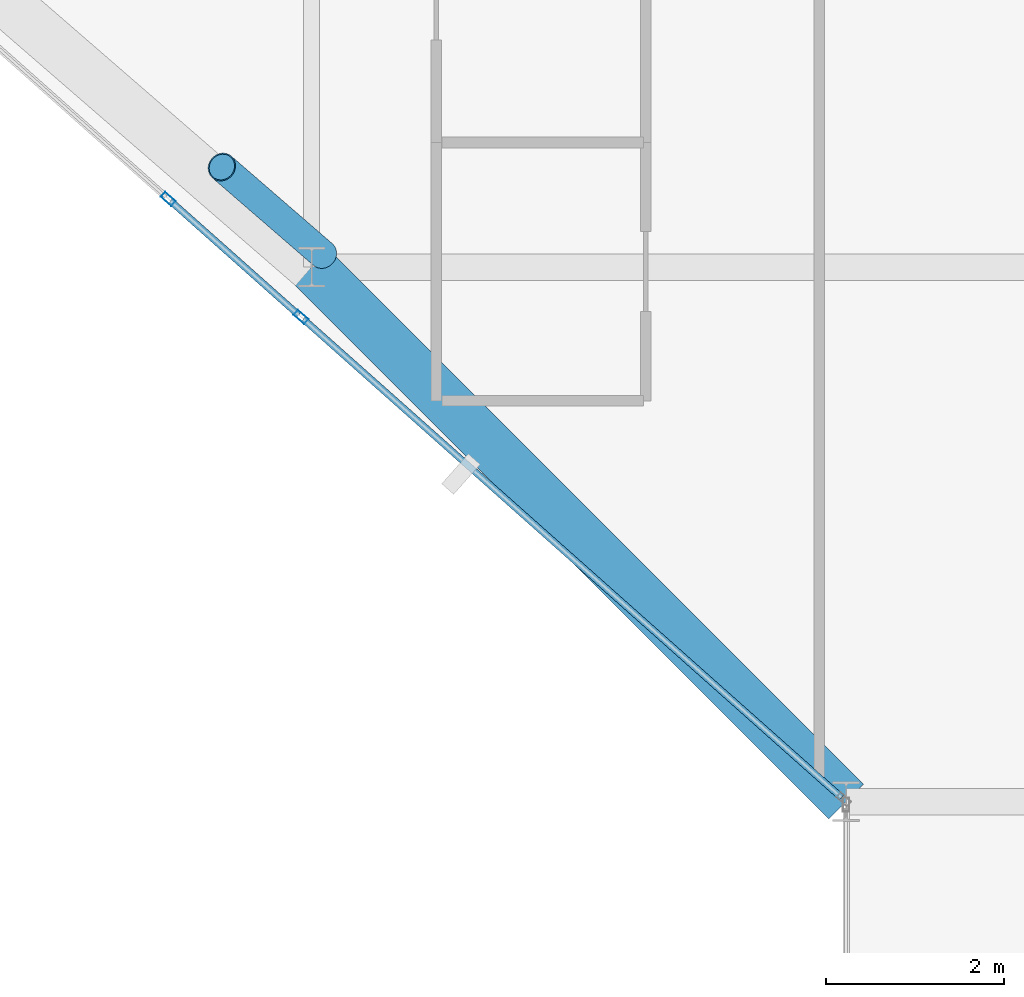
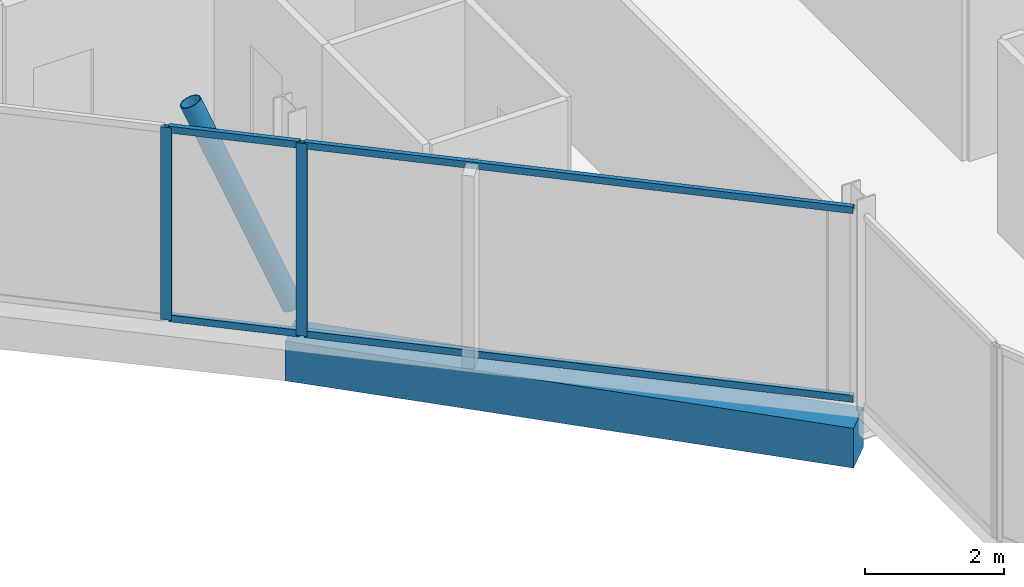
# One storey, part 4 of 29: 7 members, 1 beam, 2 elements without a shape of their own.
"""IFC4 building model written with IfcOpenShell, lengths in metres."""

from ifc_helpers import new_model, si_unit, direction, frame, origin, origin_2d, place, context, subcontext, project, spatial, rectangle, hollow_rectangle, hollow_circle, extrude, material, layer, layer_set, material_profile, profile_set, type_object, element, aggregate, save


model = new_model("IFC4")

# Units and contexts
model_context = context("Model", 3, precision=1e-05, world=origin(), true_north=direction((0.0, 1.0)))
body_context = subcontext(model_context, "Body", "Model", "MODEL_VIEW")
ifc_project = project(units=[si_unit("LENGTHUNIT", "METRE"), si_unit("AREAUNIT", "SQUARE_METRE"), si_unit("VOLUMEUNIT", "CUBIC_METRE"), si_unit("PLANEANGLEUNIT", "RADIAN"), si_unit("MASSUNIT", "GRAM", prefix="KILO")], contexts=[model_context])

# Site, building, storey
site_placement = place(None, origin())
site = spatial("IfcSite", under=ifc_project, at=site_placement, CompositionType="ELEMENT")
building_placement = place(site_placement, origin())
building = spatial("IfcBuilding", under=site, at=building_placement, Name="Keshet Zoharim Tower", CompositionType="ELEMENT")
storey_placement = place(building_placement, frame((0.0, 0.0, 172.800048828125)))
storey = spatial("IfcBuildingStorey", under=building, at=storey_placement, Name="L42", CompositionType="ELEMENT", Elevation=172.800048828125)

# Beam
ifc_material_1 = material(Name="Concrete C50/60", Category="concrete")
ifc_material_profile_1 = material_profile(ifc_material_1, rectangle(XDim=0.550048828125, YDim=0.699951171875, at=origin_2d()), Name="RC700x550")
ifc_profile_set_1 = profile_set([ifc_material_profile_1], Name="Concrete C50/60")
beam_type = type_object("IfcBeamType", Name="BM-SPN-700", PredefinedType="SPANDREL", material=ifc_profile_set_1)
beam_placement = place(storey_placement, frame((21.0, 6.699951171875, -0.66015625), z_axis=(-0.707106781187, 0.707106781187, 0.0), x_axis=(-0.707106781187, -0.707106781187, 0.0)))
element("IfcBeam", 1, at=beam_placement, inside=storey, type_object=beam_type, Name="L42 Perimeter Spandrel Beam 01", PredefinedType="SPANDREL", context=body_context, shape_type="SweptSolid", body=[
    extrude(rectangle(XDim=0.550048828125, YDim=0.699951171875, at=origin_2d()), origin(), (0.0, 0.0, 1.0), 8.4853515625),
])

# Curtain wall, member
ifc_material_2 = material(Name="Aluminium 6063-T6", Category="aluminium")
ifc_layer = layer(ifc_material_2, 0.139892578125)
ifc_layer_set = layer_set([ifc_layer], Name="Aluminium 6063-T6")
curtain_wall_type = type_object("IfcCurtainWallType", Name="CW-SYS-05", PredefinedType="NOTDEFINED", material=ifc_layer_set)
curtain_wall_1_placement = place(storey_placement, origin())
curtain_wall_1 = element("IfcCurtainWall", 2, at=curtain_wall_1_placement, inside=storey, type_object=curtain_wall_type, Name="L42 Unitised Curtain Wall 10", PredefinedType="NOTDEFINED")
ifc_material_profile_2 = material_profile(ifc_material_2, hollow_rectangle(XDim=0.074951171875, YDim=0.159912109375, WallThickness=0.00390625, at=origin_2d()), Name="MUL-75x160")
ifc_profile_set_2 = profile_set([ifc_material_profile_2], Name="Aluminium 6063-T6")
member_type_1 = type_object("IfcMemberType", Name="CWM-M15", PredefinedType="MULLION", material=ifc_profile_set_2)
member_1_placement = place(storey_placement, frame((14.88037109375, 12.1396484375, 0.0), z_axis=(0.0, 0.0, 1.0), x_axis=(-0.664367613066, -0.74740596379, 0.0)))
member_1 = element("IfcMember", 3, at=member_1_placement, type_object=member_type_1, Name="CW-05 mullion 2", PredefinedType="MULLION", context=body_context, shape_type="SweptSolid", body=[
    extrude(hollow_rectangle(XDim=0.074951171875, YDim=0.159912109375, WallThickness=0.00390625, at=origin_2d()), origin(), (0.0, 0.0, 1.0), 3.389892578125),
])

curtain_wall_2_placement = place(storey_placement, origin())
curtain_wall_2 = element("IfcCurtainWall", 4, at=curtain_wall_2_placement, inside=storey, type_object=curtain_wall_type, Name="L42 Unitised Curtain Wall 10 Part 2", PredefinedType="NOTDEFINED")
member_2_placement = place(storey_placement, frame((13.388427734375, 13.4658203125, 0.0), z_axis=(0.0, 0.0, 1.0), x_axis=(-0.664329634314, -0.747439721297, 0.0)))
member_2 = element("IfcMember", 5, at=member_2_placement, type_object=member_type_1, Name="CW-05 mullion 2", PredefinedType="MULLION", context=body_context, shape_type="SweptSolid", body=[
    extrude(hollow_rectangle(XDim=0.074951171875, YDim=0.159912109375, WallThickness=0.00390625, at=origin_2d()), origin(), (0.0, 0.0, 1.0), 3.389892578125),
])

# Member
ifc_material_profile_3 = material_profile(ifc_material_2, hollow_rectangle(XDim=0.074951171875, YDim=0.1201171875, WallThickness=0.00390625, at=origin_2d()), Name="TRN-75x120")
ifc_profile_set_3 = profile_set([ifc_material_profile_3], Name="Aluminium 6063-T6")
member_type_2 = type_object("IfcMemberType", Name="CWT-T12", PredefinedType="USERDEFINED", material=ifc_profile_set_3)
member_3_placement = place(storey_placement, frame((20.94775390625, 6.74658203125, 0.034912109375), z_axis=(-0.747404319135, 0.664369463279, 0.0), x_axis=(-0.664369463279, -0.747404319135, 0.0)))
member_3 = element("IfcMember", 6, at=member_3_placement, type_object=member_type_2, Name="CW-05 transom 1.1", ObjectType="TRANSOM", PredefinedType="USERDEFINED", context=body_context, shape_type="SweptSolid", body=[
    extrude(hollow_rectangle(XDim=0.074951171875, YDim=0.1201171875, WallThickness=0.00390625, at=origin_2d()), origin(), (0.0, 0.0, 1.0), 8.082763671875),
])

member_4_placement = place(storey_placement, frame((20.94775390625, 6.74658203125, 3.35498046875), z_axis=(-0.747404319135, 0.664369463279, 0.0), x_axis=(-0.664369463279, -0.747404319135, 0.0)))
member_4 = element("IfcMember", 7, at=member_4_placement, type_object=member_type_2, Name="CW-05 transom 1.2", ObjectType="TRANSOM", PredefinedType="USERDEFINED", context=body_context, shape_type="SweptSolid", body=[
    extrude(hollow_rectangle(XDim=0.074951171875, YDim=0.1201171875, WallThickness=0.00390625, at=origin_2d()), origin(), (0.0, 0.0, 1.0), 8.082763671875),
])

aggregate(curtain_wall_1, [member_1, member_3, member_4])

member_5_placement = place(storey_placement, frame((14.854248046875, 12.162841796875, 0.034912109375), z_axis=(-0.747458269264, 0.664308765341, 0.0), x_axis=(-0.664308765341, -0.747458269264, 0.0)))
member_5 = element("IfcMember", 8, at=member_5_placement, type_object=member_type_2, Name="CW-05 transom 1.1", ObjectType="TRANSOM", PredefinedType="USERDEFINED", context=body_context, shape_type="SweptSolid", body=[
    extrude(hollow_rectangle(XDim=0.074951171875, YDim=0.1201171875, WallThickness=0.00390625, at=origin_2d()), origin(), (0.0, 0.0, 1.0), 1.926025390625),
])

member_6_placement = place(storey_placement, frame((14.854248046875, 12.162841796875, 3.35498046875), z_axis=(-0.747458269264, 0.664308765341, 0.0), x_axis=(-0.664308765341, -0.747458269264, 0.0)))
member_6 = element("IfcMember", 9, at=member_6_placement, type_object=member_type_2, Name="CW-05 transom 1.2", ObjectType="TRANSOM", PredefinedType="USERDEFINED", context=body_context, shape_type="SweptSolid", body=[
    extrude(hollow_rectangle(XDim=0.074951171875, YDim=0.1201171875, WallThickness=0.00390625, at=origin_2d()), origin(), (0.0, 0.0, 1.0), 1.926025390625),
])

aggregate(curtain_wall_2, [member_2, member_5, member_6])

ifc_material_3 = material(Name="Steel S355", Category="steel")
ifc_material_profile_4 = material_profile(ifc_material_3, hollow_circle(Radius=0.161865234375, WallThickness=0.012451171875, at=origin_2d()), Name="CHS323x12.5")
ifc_profile_set_4 = profile_set([ifc_material_profile_4], Name="Steel S355")
member_type_3 = type_object("IfcMemberType", Name="MB-BR-C323", PredefinedType="BRACE", material=ifc_profile_set_4)
member_7_placement = place(storey_placement, frame((15.1259765625, 12.842041015625, 0.0), z_axis=(-0.305919508672, 0.264888754334, 0.914465528077), x_axis=(-0.654589683411, -0.755984355904, 0.0)))
element("IfcMember", 10, at=member_7_placement, inside=storey, type_object=member_type_3, Name="L42 Perimeter Tube Brace 01", PredefinedType="BRACE", context=body_context, shape_type="SweptSolid", body=[
    extrude(hollow_circle(Radius=0.161865234375, WallThickness=0.012451171875, at=origin_2d()), origin(), (0.0, 0.0, 1.0), 3.70703125),
])

save(model, "model.ifc")
